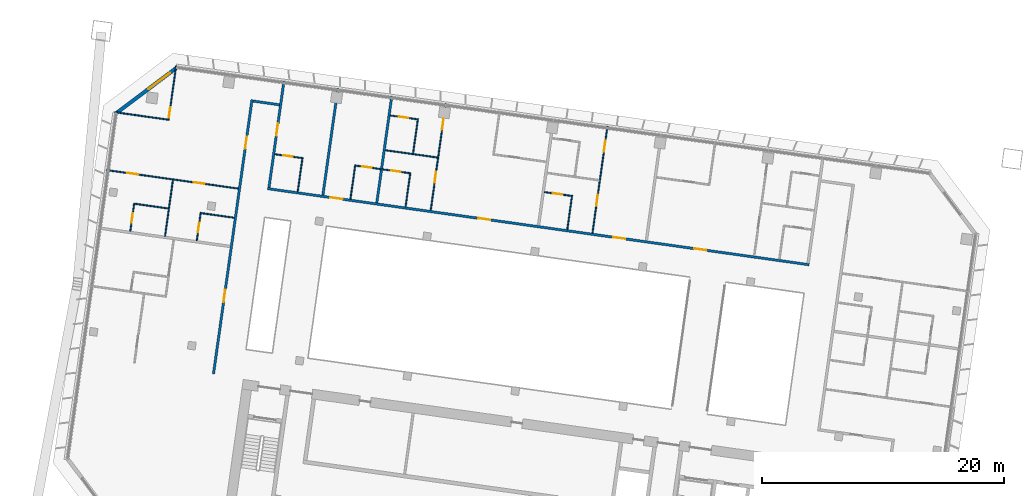
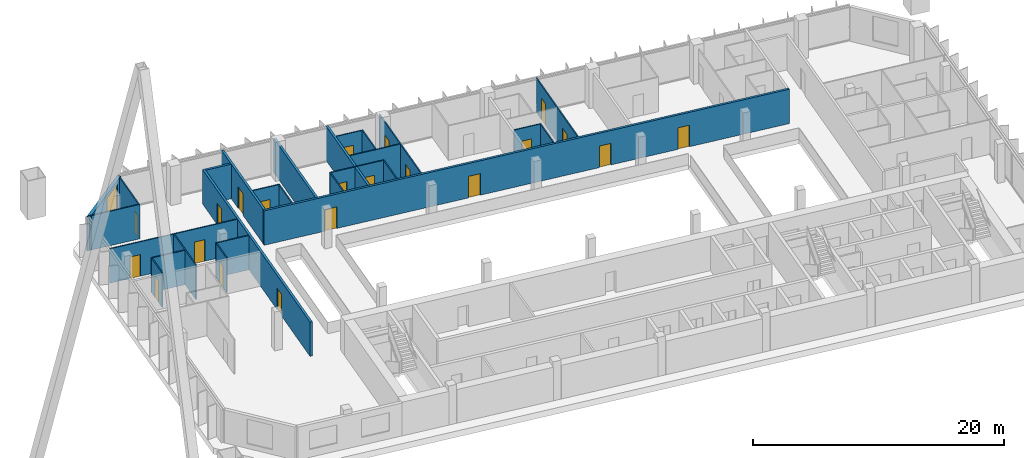
# One storey, part 23 of 33: 27 walls, 21 doors, 1 window, 22 openings.
"""IFC4 building model written with IfcOpenShell, lengths in metres."""

from ifc_helpers import new_model, si_unit, direction, frame, frame_2d, origin, place, context, subcontext, project, spatial, rectangle, extrude, material, layer, layer_set, type_object, element, fill, save


model = new_model("IFC4")

# Units and contexts
model_context = context("Model", 3, precision=1e-05, world=origin(), true_north=direction((0.0, 1.0)))
body_context = subcontext(model_context, "Body", "Model", "MODEL_VIEW")
ifc_project = project(units=[si_unit("LENGTHUNIT", "METRE"), si_unit("AREAUNIT", "SQUARE_METRE"), si_unit("VOLUMEUNIT", "CUBIC_METRE"), si_unit("PLANEANGLEUNIT", "RADIAN"), si_unit("MASSUNIT", "GRAM", prefix="KILO")], contexts=[model_context])

# Site, building, storey
site_placement = place(None, origin())
site = spatial("IfcSite", under=ifc_project, at=site_placement, CompositionType="ELEMENT")
building_placement = place(site_placement, origin())
building = spatial("IfcBuilding", under=site, at=building_placement, Name="Mirante Cascada Hotel Towers", CompositionType="ELEMENT")
storey_placement = place(building_placement, frame((0.0, 0.0, 121.5)))
storey = spatial("IfcBuildingStorey", under=building, at=storey_placement, Name="L27", CompositionType="ELEMENT", Elevation=121.5)

# Wall, openings, doors
ifc_material_1 = material(Name="Fire-rated plasterboard on metal studs")
ifc_layer_1 = layer(ifc_material_1, 0.2)
ifc_layer_set_1 = layer_set([ifc_layer_1], Name="Compartment wall 200 EI 120")
wall_type_1 = type_object("IfcWallType", Name="Compartment wall 200 EI 120", PredefinedType="PARTITIONING", material=ifc_layer_set_1)
wall_1_placement = place(storey_placement, frame((-41.8779, 9.7676, 0.0), z_axis=(0.0, 0.0, 1.0), x_axis=(-0.9902681, 0.1391726, 0.0)))
wall_1 = element("IfcWall", 1, at=wall_1_placement, inside=storey, type_object=wall_type_1, Name="Wall 1-L27-16", PredefinedType="PARTITIONING", context=body_context, shape_type="SweptSolid", body=[
    extrude(rectangle(XDim=45.2, YDim=0.2, at=frame_2d((22.6, 0.0))), origin(), (0.0, 0.0, 1.0), 3.35),
])
opening_1_placement = place(wall_1_placement, frame((8.6, 0.0, 0.0)))
opening_1 = element("IfcOpeningElement", 2, at=opening_1_placement, cuts=wall_1, Name="Opening D1-L27-09", PredefinedType="OPENING", context=body_context, shape_type="SweptSolid", body=[
    extrude(rectangle(XDim=1.0, YDim=2.1, at=frame_2d((0.5, 1.05))), frame((0.0, 0.1, 0.0), z_axis=(0.0, -1.0, 0.0), x_axis=(1.0, 0.0, 0.0)), (0.0, 0.0, 1.0), 0.2),
])
opening_2_placement = place(wall_1_placement, frame((15.35, 0.0, 0.0)))
opening_2 = element("IfcOpeningElement", 3, at=opening_2_placement, cuts=wall_1, Name="Opening D1-L27-10", PredefinedType="OPENING", context=body_context, shape_type="SweptSolid", body=[
    extrude(rectangle(XDim=1.0, YDim=2.1, at=frame_2d((0.5, 1.05))), frame((0.0, 0.1, 0.0), z_axis=(0.0, -1.0, 0.0), x_axis=(1.0, 0.0, 0.0)), (0.0, 0.0, 1.0), 0.2),
])
opening_3_placement = place(wall_1_placement, frame((26.6, 0.0, 0.0)))
opening_3 = element("IfcOpeningElement", 4, at=opening_3_placement, cuts=wall_1, Name="Opening D1-L27-11", PredefinedType="OPENING", context=body_context, shape_type="SweptSolid", body=[
    extrude(rectangle(XDim=1.0, YDim=2.1, at=frame_2d((0.5, 1.05))), frame((0.0, 0.1, 0.0), z_axis=(0.0, -1.0, 0.0), x_axis=(1.0, 0.0, 0.0)), (0.0, 0.0, 1.0), 0.2),
])
opening_4_placement = place(wall_1_placement, frame((38.95, 0.0, 0.0)))
opening_4 = element("IfcOpeningElement", 5, at=opening_4_placement, cuts=wall_1, Name="Opening D1-L27-12", PredefinedType="OPENING", context=body_context, shape_type="SweptSolid", body=[
    extrude(rectangle(XDim=1.0, YDim=2.1, at=frame_2d((0.5, 1.05))), frame((0.0, 0.1, 0.0), z_axis=(0.0, -1.0, 0.0), x_axis=(1.0, 0.0, 0.0)), (0.0, 0.0, 1.0), 0.2),
])
ifc_material_2 = material(Name="Fire-rated timber door leaf", Category="wood")
door_type_1 = type_object("IfcDoorType", Name="Entrance door DG1 1000x2100 EI 60", OperationType="SINGLE_SWING_LEFT", PredefinedType="DOOR", material=ifc_material_2)
door_1_placement = place(opening_1_placement, frame((1.0, 0.0, 0.0), z_axis=(0.0, 0.0, 1.0), x_axis=(-1.0, 0.0, 0.0)))
door_1 = element("IfcDoor", 6, at=door_1_placement, inside=storey, type_object=door_type_1, Name="Door D1-L27-09", OperationType="SINGLE_SWING_RIGHT", OverallHeight=2.1, OverallWidth=1.0, PredefinedType="DOOR", context=body_context, shape_type="SweptSolid", body=[
    extrude(rectangle(XDim=1.0, YDim=2.1, at=frame_2d((0.5, 1.05))), frame((0.0, 0.025, 0.0), z_axis=(0.0, -1.0, 0.0), x_axis=(1.0, 0.0, 0.0)), (0.0, 0.0, 1.0), 0.05),
])
fill(opening_1, door_1)
door_2_placement = place(opening_2_placement, frame((1.0, 0.0, 0.0), z_axis=(0.0, 0.0, 1.0), x_axis=(-1.0, 0.0, 0.0)))
door_2 = element("IfcDoor", 7, at=door_2_placement, inside=storey, type_object=door_type_1, Name="Door D1-L27-10", OperationType="SINGLE_SWING_RIGHT", OverallHeight=2.1, OverallWidth=1.0, PredefinedType="DOOR", context=body_context, shape_type="SweptSolid", body=[
    extrude(rectangle(XDim=1.0, YDim=2.1, at=frame_2d((0.5, 1.05))), frame((0.0, 0.025, 0.0), z_axis=(0.0, -1.0, 0.0), x_axis=(1.0, 0.0, 0.0)), (0.0, 0.0, 1.0), 0.05),
])
fill(opening_2, door_2)
door_3_placement = place(opening_3_placement, frame((1.0, 0.0, 0.0), z_axis=(0.0, 0.0, 1.0), x_axis=(-1.0, 0.0, 0.0)))
door_3 = element("IfcDoor", 8, at=door_3_placement, inside=storey, type_object=door_type_1, Name="Door D1-L27-11", OperationType="SINGLE_SWING_RIGHT", OverallHeight=2.1, OverallWidth=1.0, PredefinedType="DOOR", context=body_context, shape_type="SweptSolid", body=[
    extrude(rectangle(XDim=1.0, YDim=2.1, at=frame_2d((0.5, 1.05))), frame((0.0, 0.025, 0.0), z_axis=(0.0, -1.0, 0.0), x_axis=(1.0, 0.0, 0.0)), (0.0, 0.0, 1.0), 0.05),
])
fill(opening_3, door_3)
door_4_placement = place(opening_4_placement, frame((1.0, 0.0, 0.0), z_axis=(0.0, 0.0, 1.0), x_axis=(-1.0, 0.0, 0.0)))
door_4 = element("IfcDoor", 9, at=door_4_placement, inside=storey, type_object=door_type_1, Name="Door D1-L27-12", OperationType="SINGLE_SWING_RIGHT", OverallHeight=2.1, OverallWidth=1.0, PredefinedType="DOOR", context=body_context, shape_type="SweptSolid", body=[
    extrude(rectangle(XDim=1.0, YDim=2.1, at=frame_2d((0.5, 1.05))), frame((0.0, 0.025, 0.0), z_axis=(0.0, -1.0, 0.0), x_axis=(1.0, 0.0, 0.0)), (0.0, 0.0, 1.0), 0.05),
])
fill(opening_4, door_4)

# Walls
wall_2_placement = place(storey_placement, frame((-85.6638, 22.9901, 0.0), z_axis=(0.0, 0.0, 1.0), x_axis=(-0.990267, 0.139181, 0.0)))
element("IfcWall", 10, at=wall_2_placement, inside=storey, type_object=wall_type_1, Name="Wall 1-L27-28", PredefinedType="PARTITIONING", context=body_context, shape_type="SweptSolid", body=[
    extrude(rectangle(XDim=2.2, YDim=0.2, at=frame_2d((1.1, 0.0))), origin(), (0.0, 0.0, 1.0), 3.35),
])
wall_3_placement = place(storey_placement, frame((-76.374, 23.7042, 0.0), z_axis=(0.0, 0.0, 1.0), x_axis=(-0.1391684, -0.9902687, 0.0)))
element("IfcWall", 11, at=wall_3_placement, inside=storey, type_object=wall_type_1, Name="Wall 1-L27-51", PredefinedType="PARTITIONING", context=body_context, shape_type="SweptSolid", body=[
    extrude(rectangle(XDim=8.9, YDim=0.2, at=frame_2d((4.45, 0.0))), origin(), (0.0, 0.0, 1.0), 3.35),
])
wall_4_placement = place(storey_placement, frame((-80.8302, 24.3304, 0.0), z_axis=(0.0, 0.0, 1.0), x_axis=(-0.13917, -0.9902685, 0.0)))
element("IfcWall", 12, at=wall_4_placement, inside=storey, type_object=wall_type_1, Name="Wall 1-L27-53", PredefinedType="PARTITIONING", context=body_context, shape_type="SweptSolid", body=[
    extrude(rectangle(XDim=8.8999, YDim=0.2, at=frame_2d((4.45, 0.0))), origin(), (0.0, 0.0, 1.0), 3.35),
])

# Wall, opening, door
wall_5_placement = place(storey_placement, frame((-85.2864, 24.9567, 0.0), z_axis=(0.0, 0.0, 1.0), x_axis=(-0.1391684, -0.9902687, 0.0)))
wall_5 = element("IfcWall", 13, at=wall_5_placement, inside=storey, type_object=wall_type_1, Name="Wall 1-L27-55", PredefinedType="PARTITIONING", context=body_context, shape_type="SweptSolid", body=[
    extrude(rectangle(XDim=8.9, YDim=0.2, at=frame_2d((4.45, 0.0))), origin(), (0.0, 0.0, 1.0), 3.35),
])
opening_5_placement = place(wall_5_placement, frame((3.55, 0.0, 0.0)))
opening_5 = element("IfcOpeningElement", 14, at=opening_5_placement, cuts=wall_5, Name="Opening D1-L27-34", PredefinedType="OPENING", context=body_context, shape_type="SweptSolid", body=[
    extrude(rectangle(XDim=1.0, YDim=2.1, at=frame_2d((0.5, 1.05))), frame((0.0, 0.1, 0.0), z_axis=(0.0, -1.0, 0.0), x_axis=(1.0, 0.0, 0.0)), (0.0, 0.0, 1.0), 0.2),
])
door_5_placement = place(opening_5_placement, origin())
door_5 = element("IfcDoor", 15, at=door_5_placement, inside=storey, type_object=door_type_1, Name="Door D1-L27-34", OperationType="SINGLE_SWING_LEFT", OverallHeight=2.1, OverallWidth=1.0, PredefinedType="DOOR", context=body_context, shape_type="SweptSolid", body=[
    extrude(rectangle(XDim=1.0, YDim=2.1, at=frame_2d((0.5, 1.05))), frame((0.0, 0.025, 0.0), z_axis=(0.0, -1.0, 0.0), x_axis=(1.0, 0.0, 0.0)), (0.0, 0.0, 1.0), 0.05),
])
fill(opening_5, door_5)

# Wall, openings, doors
wall_6_placement = place(storey_placement, frame((-91.1145, 0.7321, 0.0), z_axis=(0.0, 0.0, 1.0), x_axis=(0.1391706, 0.9902684, 0.0)))
wall_6 = element("IfcWall", 16, at=wall_6_placement, inside=storey, type_object=wall_type_1, Name="Wall 1-L27-56", PredefinedType="PARTITIONING", context=body_context, shape_type="SweptSolid", body=[
    extrude(rectangle(XDim=22.9, YDim=0.2, at=frame_2d((11.45, 0.0))), origin(), (0.0, 0.0, 1.0), 3.35),
])
opening_6_placement = place(wall_6_placement, frame((6.0167, 0.0, 0.0)))
opening_6 = element("IfcOpeningElement", 17, at=opening_6_placement, cuts=wall_6, Name="Opening D1-L27-35", PredefinedType="OPENING", context=body_context, shape_type="SweptSolid", body=[
    extrude(rectangle(XDim=1.0, YDim=2.1, at=frame_2d((0.5, 1.05))), frame((0.0, 0.1, 0.0), z_axis=(0.0, -1.0, 0.0), x_axis=(1.0, 0.0, 0.0)), (0.0, 0.0, 1.0), 0.2),
])
opening_7_placement = place(wall_6_placement, frame((18.8, 0.0, 0.0)))
opening_7 = element("IfcOpeningElement", 18, at=opening_7_placement, cuts=wall_6, Name="Opening D1-L27-36", PredefinedType="OPENING", context=body_context, shape_type="SweptSolid", body=[
    extrude(rectangle(XDim=1.0, YDim=2.1, at=frame_2d((0.5, 1.05))), frame((0.0, 0.1, 0.0), z_axis=(0.0, -1.0, 0.0), x_axis=(1.0, 0.0, 0.0)), (0.0, 0.0, 1.0), 0.2),
])
door_6_placement = place(opening_6_placement, origin())
door_6 = element("IfcDoor", 19, at=door_6_placement, inside=storey, type_object=door_type_1, Name="Door D1-L27-35", OperationType="SINGLE_SWING_LEFT", OverallHeight=2.1, OverallWidth=1.0, PredefinedType="DOOR", context=body_context, shape_type="SweptSolid", body=[
    extrude(rectangle(XDim=1.0, YDim=2.1, at=frame_2d((0.5, 1.05))), frame((0.0, 0.025, 0.0), z_axis=(0.0, -1.0, 0.0), x_axis=(1.0, 0.0, 0.0)), (0.0, 0.0, 1.0), 0.05),
])
fill(opening_6, door_6)
door_7_placement = place(opening_7_placement, origin())
door_7 = element("IfcDoor", 20, at=door_7_placement, inside=storey, type_object=door_type_1, Name="Door D1-L27-36", OperationType="SINGLE_SWING_LEFT", OverallHeight=2.1, OverallWidth=1.0, PredefinedType="DOOR", context=body_context, shape_type="SweptSolid", body=[
    extrude(rectangle(XDim=1.0, YDim=2.1, at=frame_2d((0.5, 1.05))), frame((0.0, 0.025, 0.0), z_axis=(0.0, -1.0, 0.0), x_axis=(1.0, 0.0, 0.0)), (0.0, 0.0, 1.0), 0.05),
])
fill(opening_7, door_7)

# Walls
ifc_material_3 = material(Name="Plasterboard on metal studs")
ifc_layer_2 = layer(ifc_material_3, 0.1)
ifc_layer_set_2 = layer_set([ifc_layer_2], Name="Partition 100")
wall_type_2 = type_object("IfcWallType", Name="Partition 100", PredefinedType="PARTITIONING", material=ifc_layer_set_2)
wall_7_placement = place(storey_placement, frame((-89.3997, 13.6525, 0.0), z_axis=(0.0, 0.0, 1.0), x_axis=(-0.9902697, 0.1391613, 0.0)))
element("IfcWall", 21, at=wall_7_placement, inside=storey, type_object=wall_type_2, Name="Wall 1-L27-12", PredefinedType="PARTITIONING", context=body_context, shape_type="SweptSolid", body=[
    extrude(rectangle(XDim=2.8499, YDim=0.1, at=frame_2d((1.425, 0.0))), origin(), (0.0, 0.0, 1.0), 3.35),
])
wall_8_placement = place(storey_placement, frame((-97.7179, 14.8215, 0.0), z_axis=(0.0, 0.0, 1.0), x_axis=(0.9902683, -0.1391714, 0.0)))
element("IfcWall", 22, at=wall_8_placement, inside=storey, type_object=wall_type_2, Name="Wall 1-L27-13", PredefinedType="PARTITIONING", context=body_context, shape_type="SweptSolid", body=[
    extrude(rectangle(XDim=2.9, YDim=0.1, at=frame_2d((1.45, 0.0))), origin(), (0.0, 0.0, 1.0), 3.35),
])

# Wall, openings, doors
wall_9_placement = place(storey_placement, frame((-99.954, 17.5931, 0.0), z_axis=(0.0, 0.0, 1.0), x_axis=(0.9902682, -0.1391721, 0.0)))
wall_9 = element("IfcWall", 23, at=wall_9_placement, inside=storey, type_object=wall_type_2, Name="Wall 1-L27-15", PredefinedType="PARTITIONING", context=body_context, shape_type="SweptSolid", body=[
    extrude(rectangle(XDim=11.0001, YDim=0.1, at=frame_2d((5.5, 0.0))), origin(), (0.0, 0.0, 1.0), 3.35),
])
opening_8_placement = place(wall_9_placement, frame((7.275, 0.0, 0.0)))
opening_8 = element("IfcOpeningElement", 24, at=opening_8_placement, cuts=wall_9, Name="Opening D1-L27-07", PredefinedType="OPENING", context=body_context, shape_type="SweptSolid", body=[
    extrude(rectangle(XDim=0.9, YDim=2.1, at=frame_2d((0.45, 1.05))), frame((0.0, 0.05, 0.0), z_axis=(0.0, -1.0, 0.0), x_axis=(1.0, 0.0, 0.0)), (0.0, 0.0, 1.0), 0.1),
])
opening_9_placement = place(wall_9_placement, frame((1.725, 0.0, 0.0)))
opening_9 = element("IfcOpeningElement", 25, at=opening_9_placement, cuts=wall_9, Name="Opening D1-L27-08", PredefinedType="OPENING", context=body_context, shape_type="SweptSolid", body=[
    extrude(rectangle(XDim=0.9, YDim=2.1, at=frame_2d((0.45, 1.05))), frame((0.0, 0.05, 0.0), z_axis=(0.0, -1.0, 0.0), x_axis=(1.0, 0.0, 0.0)), (0.0, 0.0, 1.0), 0.1),
])
ifc_material_4 = material(Name="Timber door leaf", Category="wood")
door_type_2 = type_object("IfcDoorType", Name="Room door DG3 900x2100", OperationType="SINGLE_SWING_LEFT", PredefinedType="DOOR", material=ifc_material_4)
door_8_placement = place(opening_8_placement, origin())
door_8 = element("IfcDoor", 26, at=door_8_placement, inside=storey, type_object=door_type_2, Name="Door D1-L27-07", OperationType="SINGLE_SWING_LEFT", OverallHeight=2.1, OverallWidth=0.9, PredefinedType="DOOR", context=body_context, shape_type="SweptSolid", body=[
    extrude(rectangle(XDim=0.9, YDim=2.1, at=frame_2d((0.45, 1.05))), frame((0.0, 0.025, 0.0), z_axis=(0.0, -1.0, 0.0), x_axis=(1.0, 0.0, 0.0)), (0.0, 0.0, 1.0), 0.05),
])
fill(opening_8, door_8)
door_9_placement = place(opening_9_placement, origin())
door_9 = element("IfcDoor", 27, at=door_9_placement, inside=storey, type_object=door_type_2, Name="Door D1-L27-08", OperationType="SINGLE_SWING_LEFT", OverallHeight=2.1, OverallWidth=0.9, PredefinedType="DOOR", context=body_context, shape_type="SweptSolid", body=[
    extrude(rectangle(XDim=0.9, YDim=2.1, at=frame_2d((0.45, 1.05))), frame((0.0, 0.025, 0.0), z_axis=(0.0, -1.0, 0.0), x_axis=(1.0, 0.0, 0.0)), (0.0, 0.0, 1.0), 0.05),
])
fill(opening_9, door_9)

# Wall, opening, door
wall_10_placement = place(storey_placement, frame((-61.5272, 15.4576, 0.0), z_axis=(0.0, 0.0, 1.0), x_axis=(-0.9902643, 0.1391997, 0.0)))
wall_10 = element("IfcWall", 28, at=wall_10_placement, inside=storey, type_object=wall_type_2, Name="Wall 1-L27-18", PredefinedType="PARTITIONING", context=body_context, shape_type="SweptSolid", body=[
    extrude(rectangle(XDim=2.25, YDim=0.1, at=frame_2d((1.125, 0.0))), origin(), (0.0, 0.0, 1.0), 3.35),
])
opening_10_placement = place(wall_10_placement, frame((0.75, 0.0, 0.0)))
opening_10 = element("IfcOpeningElement", 29, at=opening_10_placement, cuts=wall_10, Name="Opening D1-L27-14", PredefinedType="OPENING", context=body_context, shape_type="SweptSolid", body=[
    extrude(rectangle(XDim=0.8, YDim=2.1, at=frame_2d((0.4, 1.05))), frame((0.0, 0.05, 0.0), z_axis=(0.0, -1.0, 0.0), x_axis=(1.0, 0.0, 0.0)), (0.0, 0.0, 1.0), 0.1),
])
ifc_material_5 = material(Name="Timber door leaf", Category="wood")
door_type_3 = type_object("IfcDoorType", Name="Bathroom door DG4 800x2100", OperationType="SINGLE_SWING_LEFT", PredefinedType="DOOR", material=ifc_material_5)
door_10_placement = place(opening_10_placement, origin())
door_10 = element("IfcDoor", 30, at=door_10_placement, inside=storey, type_object=door_type_3, Name="Door D1-L27-14", OperationType="SINGLE_SWING_LEFT", OverallHeight=2.1, OverallWidth=0.8, PredefinedType="DOOR", context=body_context, shape_type="SweptSolid", body=[
    extrude(rectangle(XDim=0.8, YDim=2.1, at=frame_2d((0.4, 1.05))), frame((0.0, 0.025, 0.0), z_axis=(0.0, -1.0, 0.0), x_axis=(1.0, 0.0, 0.0)), (0.0, 0.0, 1.0), 0.05),
])
fill(opening_10, door_10)

# Wall, openings, doors
wall_11_placement = place(storey_placement, frame((-79.451, 17.9767, 0.0), z_axis=(0.0, 0.0, 1.0), x_axis=(0.9902682, -0.139172, 0.0)))
wall_11 = element("IfcWall", 31, at=wall_11_placement, inside=storey, type_object=wall_type_2, Name="Wall 1-L27-19", PredefinedType="PARTITIONING", context=body_context, shape_type="SweptSolid", body=[
    extrude(rectangle(XDim=4.6999, YDim=0.1, at=frame_2d((2.35, 0.0))), origin(), (0.0, 0.0, 1.0), 3.35),
])
opening_11_placement = place(wall_11_placement, frame((3.05, 0.0, 0.0)))
opening_11 = element("IfcOpeningElement", 32, at=opening_11_placement, cuts=wall_11, Name="Opening D1-L27-15", PredefinedType="OPENING", context=body_context, shape_type="SweptSolid", body=[
    extrude(rectangle(XDim=0.8, YDim=2.1, at=frame_2d((0.4, 1.05))), frame((0.0, 0.05, 0.0), z_axis=(0.0, -1.0, 0.0), x_axis=(1.0, 0.0, 0.0)), (0.0, 0.0, 1.0), 0.1),
])
opening_12_placement = place(wall_11_placement, frame((0.65, 0.0, 0.0)))
opening_12 = element("IfcOpeningElement", 33, at=opening_12_placement, cuts=wall_11, Name="Opening D1-L27-16", PredefinedType="OPENING", context=body_context, shape_type="SweptSolid", body=[
    extrude(rectangle(XDim=0.8, YDim=2.1, at=frame_2d((0.4, 1.05))), frame((0.0, 0.05, 0.0), z_axis=(0.0, -1.0, 0.0), x_axis=(1.0, 0.0, 0.0)), (0.0, 0.0, 1.0), 0.1),
])
door_11_placement = place(opening_11_placement, frame((0.8, 0.0, 0.0), z_axis=(0.0, 0.0, 1.0), x_axis=(-1.0, 0.0, 0.0)))
door_11 = element("IfcDoor", 34, at=door_11_placement, inside=storey, type_object=door_type_3, Name="Door D1-L27-15", OperationType="SINGLE_SWING_RIGHT", OverallHeight=2.1, OverallWidth=0.8, PredefinedType="DOOR", context=body_context, shape_type="SweptSolid", body=[
    extrude(rectangle(XDim=0.8, YDim=2.1, at=frame_2d((0.4, 1.05))), frame((0.0, 0.025, 0.0), z_axis=(0.0, -1.0, 0.0), x_axis=(1.0, 0.0, 0.0)), (0.0, 0.0, 1.0), 0.05),
])
fill(opening_11, door_11)
door_12_placement = place(opening_12_placement, origin())
door_12 = element("IfcDoor", 35, at=door_12_placement, inside=storey, type_object=door_type_3, Name="Door D1-L27-16", OperationType="SINGLE_SWING_LEFT", OverallHeight=2.1, OverallWidth=0.8, PredefinedType="DOOR", context=body_context, shape_type="SweptSolid", body=[
    extrude(rectangle(XDim=0.8, YDim=2.1, at=frame_2d((0.4, 1.05))), frame((0.0, 0.025, 0.0), z_axis=(0.0, -1.0, 0.0), x_axis=(1.0, 0.0, 0.0)), (0.0, 0.0, 1.0), 0.05),
])
fill(opening_12, door_12)

# Wall, opening, door
wall_12_placement = place(storey_placement, frame((-83.8082, 18.589, 0.0), z_axis=(0.0, 0.0, 1.0), x_axis=(-0.9902643, 0.1391997, 0.0)))
wall_12 = element("IfcWall", 36, at=wall_12_placement, inside=storey, type_object=wall_type_2, Name="Wall 1-L27-20", PredefinedType="PARTITIONING", context=body_context, shape_type="SweptSolid", body=[
    extrude(rectangle(XDim=2.25, YDim=0.1, at=frame_2d((1.125, 0.0))), origin(), (0.0, 0.0, 1.0), 3.35),
])
opening_13_placement = place(wall_12_placement, frame((0.75, 0.0, 0.0)))
opening_13 = element("IfcOpeningElement", 37, at=opening_13_placement, cuts=wall_12, Name="Opening D1-L27-17", PredefinedType="OPENING", context=body_context, shape_type="SweptSolid", body=[
    extrude(rectangle(XDim=0.8, YDim=2.1, at=frame_2d((0.4, 1.05))), frame((0.0, 0.05, 0.0), z_axis=(0.0, -1.0, 0.0), x_axis=(1.0, 0.0, 0.0)), (0.0, 0.0, 1.0), 0.1),
])
door_13_placement = place(opening_13_placement, frame((0.8, 0.0, 0.0), z_axis=(0.0, 0.0, 1.0), x_axis=(-1.0, 0.0, 0.0)))
door_13 = element("IfcDoor", 38, at=door_13_placement, inside=storey, type_object=door_type_3, Name="Door D1-L27-17", OperationType="SINGLE_SWING_RIGHT", OverallHeight=2.1, OverallWidth=0.8, PredefinedType="DOOR", context=body_context, shape_type="SweptSolid", body=[
    extrude(rectangle(XDim=0.8, YDim=2.1, at=frame_2d((0.4, 1.05))), frame((0.0, 0.025, 0.0), z_axis=(0.0, -1.0, 0.0), x_axis=(1.0, 0.0, 0.0)), (0.0, 0.0, 1.0), 0.05),
])
fill(opening_13, door_13)

# Walls
wall_13_placement = place(storey_placement, frame((-76.9012, 19.234, 0.0), z_axis=(0.0, 0.0, 1.0), x_axis=(0.9902679, -0.1391745, 0.0)))
element("IfcWall", 39, at=wall_13_placement, inside=storey, type_object=wall_type_2, Name="Wall 1-L27-23", PredefinedType="PARTITIONING", context=body_context, shape_type="SweptSolid", body=[
    extrude(rectangle(XDim=4.3499, YDim=0.1, at=frame_2d((2.175, 0.0))), origin(), (0.0, 0.0, 1.0), 3.35),
])
wall_14_placement = place(storey_placement, frame((-94.7756, 21.7461, 0.0), z_axis=(0.0, 0.0, 1.0), x_axis=(-0.9902661, 0.1391871, 0.0)))
element("IfcWall", 40, at=wall_14_placement, inside=storey, type_object=wall_type_2, Name="Wall 1-L27-24", PredefinedType="PARTITIONING", context=body_context, shape_type="SweptSolid", body=[
    extrude(rectangle(XDim=4.55, YDim=0.1, at=frame_2d((2.275, 0.0))), origin(), (0.0, 0.0, 1.0), 3.35),
])

# Wall, opening, door
wall_15_placement = place(storey_placement, frame((-76.4976, 22.1058, 0.0), z_axis=(0.0, 0.0, 1.0), x_axis=(0.9902705, -0.1391561, 0.0)))
wall_15 = element("IfcWall", 41, at=wall_15_placement, inside=storey, type_object=wall_type_2, Name="Wall 1-L27-31", PredefinedType="PARTITIONING", context=body_context, shape_type="SweptSolid", body=[
    extrude(rectangle(XDim=2.25, YDim=0.1, at=frame_2d((1.125, 0.0))), origin(), (0.0, 0.0, 1.0), 3.35),
])
opening_14_placement = place(wall_15_placement, frame((0.7, 0.0, 0.0)))
opening_14 = element("IfcOpeningElement", 42, at=opening_14_placement, cuts=wall_15, Name="Opening D1-L27-22", PredefinedType="OPENING", context=body_context, shape_type="SweptSolid", body=[
    extrude(rectangle(XDim=0.8, YDim=2.1, at=frame_2d((0.4, 1.05))), frame((0.0, 0.05, 0.0), z_axis=(0.0, -1.0, 0.0), x_axis=(1.0, 0.0, 0.0)), (0.0, 0.0, 1.0), 0.1),
])
door_14_placement = place(opening_14_placement, frame((0.8, 0.0, 0.0), z_axis=(0.0, 0.0, 1.0), x_axis=(-1.0, 0.0, 0.0)))
door_14 = element("IfcDoor", 43, at=door_14_placement, inside=storey, type_object=door_type_3, Name="Door D1-L27-22", OperationType="SINGLE_SWING_RIGHT", OverallHeight=2.1, OverallWidth=0.8, PredefinedType="DOOR", context=body_context, shape_type="SweptSolid", body=[
    extrude(rectangle(XDim=0.8, YDim=2.1, at=frame_2d((0.4, 1.05))), frame((0.0, 0.025, 0.0), z_axis=(0.0, -1.0, 0.0), x_axis=(1.0, 0.0, 0.0)), (0.0, 0.0, 1.0), 0.05),
])
fill(opening_14, door_14)

# Wall, openings, doors
wall_16_placement = place(storey_placement, frame((-58.5492, 21.199, 0.0), z_axis=(0.0, 0.0, 1.0), x_axis=(-0.13917, -0.9902685, 0.0)))
wall_16 = element("IfcWall", 44, at=wall_16_placement, inside=storey, type_object=wall_type_2, Name="Wall 1-L27-43", PredefinedType="PARTITIONING", context=body_context, shape_type="SweptSolid", body=[
    extrude(rectangle(XDim=8.8999, YDim=0.1, at=frame_2d((4.45, 0.0))), origin(), (0.0, 0.0, 1.0), 3.35),
])
opening_15_placement = place(wall_16_placement, frame((5.7, 0.0, 0.0)))
opening_15 = element("IfcOpeningElement", 45, at=opening_15_placement, cuts=wall_16, Name="Opening D1-L27-30", PredefinedType="OPENING", context=body_context, shape_type="SweptSolid", body=[
    extrude(rectangle(XDim=0.9, YDim=2.1, at=frame_2d((0.45, 1.05))), frame((0.0, 0.05, 0.0), z_axis=(0.0, -1.0, 0.0), x_axis=(1.0, 0.0, 0.0)), (0.0, 0.0, 1.0), 0.1),
])
opening_16_placement = place(wall_16_placement, frame((1.2, 0.0, 0.0)))
opening_16 = element("IfcOpeningElement", 46, at=opening_16_placement, cuts=wall_16, Name="Opening D1-L27-31", PredefinedType="OPENING", context=body_context, shape_type="SweptSolid", body=[
    extrude(rectangle(XDim=0.9, YDim=2.1, at=frame_2d((0.45, 1.05))), frame((0.0, 0.05, 0.0), z_axis=(0.0, -1.0, 0.0), x_axis=(1.0, 0.0, 0.0)), (0.0, 0.0, 1.0), 0.1),
])
door_15_placement = place(opening_15_placement, origin())
door_15 = element("IfcDoor", 47, at=door_15_placement, inside=storey, type_object=door_type_2, Name="Door D1-L27-30", OperationType="SINGLE_SWING_LEFT", OverallHeight=2.1, OverallWidth=0.9, PredefinedType="DOOR", context=body_context, shape_type="SweptSolid", body=[
    extrude(rectangle(XDim=0.9, YDim=2.1, at=frame_2d((0.45, 1.05))), frame((0.0, 0.025, 0.0), z_axis=(0.0, -1.0, 0.0), x_axis=(1.0, 0.0, 0.0)), (0.0, 0.0, 1.0), 0.05),
])
fill(opening_15, door_15)
door_16_placement = place(opening_16_placement, origin())
door_16 = element("IfcDoor", 48, at=door_16_placement, inside=storey, type_object=door_type_2, Name="Door D1-L27-31", OperationType="SINGLE_SWING_LEFT", OverallHeight=2.1, OverallWidth=0.9, PredefinedType="DOOR", context=body_context, shape_type="SweptSolid", body=[
    extrude(rectangle(XDim=0.9, YDim=2.1, at=frame_2d((0.45, 1.05))), frame((0.0, 0.025, 0.0), z_axis=(0.0, -1.0, 0.0), x_axis=(1.0, 0.0, 0.0)), (0.0, 0.0, 1.0), 0.05),
])
fill(opening_16, door_16)

# Wall
wall_17_placement = place(storey_placement, frame((-61.8674, 12.6779, 0.0), z_axis=(0.0, 0.0, 1.0), x_axis=(0.1391909, 0.9902656, 0.0)))
element("IfcWall", 49, at=wall_17_placement, inside=storey, type_object=wall_type_2, Name="Wall 1-L27-44", PredefinedType="PARTITIONING", context=body_context, shape_type="SweptSolid", body=[
    extrude(rectangle(XDim=2.85, YDim=0.1, at=frame_2d((1.425, 0.0))), origin(), (0.0, 0.0, 1.0), 3.35),
])

# Wall, openings, doors
wall_18_placement = place(storey_placement, frame((-73.1564, 14.2645, 0.0), z_axis=(0.0, 0.0, 1.0), x_axis=(0.1391684, 0.9902687, 0.0)))
wall_18 = element("IfcWall", 50, at=wall_18_placement, inside=storey, type_object=wall_type_2, Name="Wall 1-L27-48", PredefinedType="PARTITIONING", context=body_context, shape_type="SweptSolid", body=[
    extrude(rectangle(XDim=8.9, YDim=0.1, at=frame_2d((4.45, 0.0))), origin(), (0.0, 0.0, 1.0), 3.35),
])
opening_17_placement = place(wall_18_placement, frame((2.3, 0.0, 0.0)))
opening_17 = element("IfcOpeningElement", 51, at=opening_17_placement, cuts=wall_18, Name="Opening D1-L27-32", PredefinedType="OPENING", context=body_context, shape_type="SweptSolid", body=[
    extrude(rectangle(XDim=0.9, YDim=2.1, at=frame_2d((0.45, 1.05))), frame((0.0, 0.05, 0.0), z_axis=(0.0, -1.0, 0.0), x_axis=(1.0, 0.0, 0.0)), (0.0, 0.0, 1.0), 0.1),
])
opening_18_placement = place(wall_18_placement, frame((6.75, 0.0, 0.0)))
opening_18 = element("IfcOpeningElement", 52, at=opening_18_placement, cuts=wall_18, Name="Opening D1-L27-33", PredefinedType="OPENING", context=body_context, shape_type="SweptSolid", body=[
    extrude(rectangle(XDim=0.9, YDim=2.1, at=frame_2d((0.45, 1.05))), frame((0.0, 0.05, 0.0), z_axis=(0.0, -1.0, 0.0), x_axis=(1.0, 0.0, 0.0)), (0.0, 0.0, 1.0), 0.1),
])
door_17_placement = place(opening_17_placement, frame((0.9, 0.0, 0.0), z_axis=(0.0, 0.0, 1.0), x_axis=(-1.0, 0.0, 0.0)))
door_17 = element("IfcDoor", 53, at=door_17_placement, inside=storey, type_object=door_type_2, Name="Door D1-L27-32", OperationType="SINGLE_SWING_RIGHT", OverallHeight=2.1, OverallWidth=0.9, PredefinedType="DOOR", context=body_context, shape_type="SweptSolid", body=[
    extrude(rectangle(XDim=0.9, YDim=2.1, at=frame_2d((0.45, 1.05))), frame((0.0, 0.025, 0.0), z_axis=(0.0, -1.0, 0.0), x_axis=(1.0, 0.0, 0.0)), (0.0, 0.0, 1.0), 0.05),
])
fill(opening_17, door_17)
door_18_placement = place(opening_18_placement, frame((0.9, 0.0, 0.0), z_axis=(0.0, 0.0, 1.0), x_axis=(-1.0, 0.0, 0.0)))
door_18 = element("IfcDoor", 54, at=door_18_placement, inside=storey, type_object=door_type_2, Name="Door D1-L27-33", OperationType="SINGLE_SWING_RIGHT", OverallHeight=2.1, OverallWidth=0.9, PredefinedType="DOOR", context=body_context, shape_type="SweptSolid", body=[
    extrude(rectangle(XDim=0.9, YDim=2.1, at=frame_2d((0.45, 1.05))), frame((0.0, 0.025, 0.0), z_axis=(0.0, -1.0, 0.0), x_axis=(1.0, 0.0, 0.0)), (0.0, 0.0, 1.0), 0.05),
])
fill(opening_18, door_18)

# Walls
wall_19_placement = place(storey_placement, frame((-74.8533, 17.28, 0.0), z_axis=(0.0, 0.0, 1.0), x_axis=(-0.1391657, -0.9902691, 0.0)))
element("IfcWall", 55, at=wall_19_placement, inside=storey, type_object=wall_type_2, Name="Wall 1-L27-49", PredefinedType="PARTITIONING", context=body_context, shape_type="SweptSolid", body=[
    extrude(rectangle(XDim=2.75, YDim=0.1, at=frame_2d((1.375, 0.0))), origin(), (0.0, 0.0, 1.0), 3.35),
])
wall_20_placement = place(storey_placement, frame((-74.6167, 18.9635, 0.0), z_axis=(0.0, 0.0, 1.0), x_axis=(0.1391761, 0.9902676, 0.0)))
element("IfcWall", 56, at=wall_20_placement, inside=storey, type_object=wall_type_2, Name="Wall 1-L27-50", PredefinedType="PARTITIONING", context=body_context, shape_type="SweptSolid", body=[
    extrude(rectangle(XDim=2.8999, YDim=0.1, at=frame_2d((1.45, 0.0))), origin(), (0.0, 0.0, 1.0), 3.35),
])
wall_21_placement = place(storey_placement, frame((-79.7912, 15.197, 0.0), z_axis=(0.0, 0.0, 1.0), x_axis=(0.1391657, 0.9902691, 0.0)))
element("IfcWall", 57, at=wall_21_placement, inside=storey, type_object=wall_type_2, Name="Wall 1-L27-52", PredefinedType="PARTITIONING", context=body_context, shape_type="SweptSolid", body=[
    extrude(rectangle(XDim=2.75, YDim=0.1, at=frame_2d((1.375, 0.0))), origin(), (0.0, 0.0, 1.0), 3.35),
])
wall_22_placement = place(storey_placement, frame((-84.1484, 15.8093, 0.0), z_axis=(0.0, 0.0, 1.0), x_axis=(0.1391909, 0.9902656, 0.0)))
element("IfcWall", 58, at=wall_22_placement, inside=storey, type_object=wall_type_2, Name="Wall 1-L27-54", PredefinedType="PARTITIONING", context=body_context, shape_type="SweptSolid", body=[
    extrude(rectangle(XDim=2.85, YDim=0.1, at=frame_2d((1.425, 0.0))), origin(), (0.0, 0.0, 1.0), 3.35),
])

# Wall, opening, door
wall_23_placement = place(storey_placement, frame((-92.1794, 13.9926, 0.0), z_axis=(0.0, 0.0, 1.0), x_axis=(-0.1391561, -0.9902705, 0.0)))
wall_23 = element("IfcWall", 59, at=wall_23_placement, inside=storey, type_object=wall_type_2, Name="Wall 1-L27-57", PredefinedType="PARTITIONING", context=body_context, shape_type="SweptSolid", body=[
    extrude(rectangle(XDim=2.25, YDim=0.1, at=frame_2d((1.125, 0.0))), origin(), (0.0, 0.0, 1.0), 3.35),
])
opening_19_placement = place(wall_23_placement, frame((0.75, 0.0, 0.0)))
opening_19 = element("IfcOpeningElement", 60, at=opening_19_placement, cuts=wall_23, Name="Opening D1-L27-37", PredefinedType="OPENING", context=body_context, shape_type="SweptSolid", body=[
    extrude(rectangle(XDim=0.8, YDim=2.1, at=frame_2d((0.4, 1.05))), frame((0.0, 0.05, 0.0), z_axis=(0.0, -1.0, 0.0), x_axis=(1.0, 0.0, 0.0)), (0.0, 0.0, 1.0), 0.1),
])
door_19_placement = place(opening_19_placement, origin())
door_19 = element("IfcDoor", 61, at=door_19_placement, inside=storey, type_object=door_type_3, Name="Door D1-L27-37", OperationType="SINGLE_SWING_LEFT", OverallHeight=2.1, OverallWidth=0.8, PredefinedType="DOOR", context=body_context, shape_type="SweptSolid", body=[
    extrude(rectangle(XDim=0.8, YDim=2.1, at=frame_2d((0.4, 1.05))), frame((0.0, 0.025, 0.0), z_axis=(0.0, -1.0, 0.0), x_axis=(1.0, 0.0, 0.0)), (0.0, 0.0, 1.0), 0.05),
])
fill(opening_19, door_19)

# Wall
wall_24_placement = place(storey_placement, frame((-94.4649, 16.7712, 0.0), z_axis=(0.0, 0.0, 1.0), x_axis=(-0.1391701, -0.9902685, 0.0)))
element("IfcWall", 62, at=wall_24_placement, inside=storey, type_object=wall_type_2, Name="Wall 1-L27-59", PredefinedType="PARTITIONING", context=body_context, shape_type="SweptSolid", body=[
    extrude(rectangle(XDim=4.6835, YDim=0.1, at=frame_2d((2.3418, 0.0))), origin(), (0.0, 0.0, 1.0), 3.35),
])

# Wall, opening, door
wall_25_placement = place(storey_placement, frame((-94.1988, 26.2093, 0.0), z_axis=(0.0, 0.0, 1.0), x_axis=(-0.1391684, -0.9902687, 0.0)))
wall_25 = element("IfcWall", 63, at=wall_25_placement, inside=storey, type_object=wall_type_2, Name="Wall 1-L27-61", PredefinedType="PARTITIONING", context=body_context, shape_type="SweptSolid", body=[
    extrude(rectangle(XDim=4.45, YDim=0.1, at=frame_2d((2.225, 0.0))), origin(), (0.0, 0.0, 1.0), 3.35),
])
opening_20_placement = place(wall_25_placement, frame((3.45, 0.0, 0.0)))
opening_20 = element("IfcOpeningElement", 64, at=opening_20_placement, cuts=wall_25, Name="Opening D1-L27-40", PredefinedType="OPENING", context=body_context, shape_type="SweptSolid", body=[
    extrude(rectangle(XDim=0.9, YDim=2.1, at=frame_2d((0.45, 1.05))), frame((0.0, 0.05, 0.0), z_axis=(0.0, -1.0, 0.0), x_axis=(1.0, 0.0, 0.0)), (0.0, 0.0, 1.0), 0.1),
])
door_20_placement = place(opening_20_placement, origin())
door_20 = element("IfcDoor", 65, at=door_20_placement, inside=storey, type_object=door_type_2, Name="Door D1-L27-40", OperationType="SINGLE_SWING_LEFT", OverallHeight=2.1, OverallWidth=0.9, PredefinedType="DOOR", context=body_context, shape_type="SweptSolid", body=[
    extrude(rectangle(XDim=0.9, YDim=2.1, at=frame_2d((0.45, 1.05))), frame((0.0, 0.025, 0.0), z_axis=(0.0, -1.0, 0.0), x_axis=(1.0, 0.0, 0.0)), (0.0, 0.0, 1.0), 0.05),
])
fill(opening_20, door_20)

wall_26_placement = place(storey_placement, frame((-97.6754, 14.765, 0.0), z_axis=(0.0, 0.0, 1.0), x_axis=(-0.1391561, -0.9902705, 0.0)))
wall_26 = element("IfcWall", 66, at=wall_26_placement, inside=storey, type_object=wall_type_2, Name="Wall 1-L27-63", PredefinedType="PARTITIONING", context=body_context, shape_type="SweptSolid", body=[
    extrude(rectangle(XDim=2.25, YDim=0.1, at=frame_2d((1.125, 0.0))), origin(), (0.0, 0.0, 1.0), 3.35),
])
opening_21_placement = place(wall_26_placement, frame((0.75, 0.0, 0.0)))
opening_21 = element("IfcOpeningElement", 67, at=opening_21_placement, cuts=wall_26, Name="Opening D1-L27-42", PredefinedType="OPENING", context=body_context, shape_type="SweptSolid", body=[
    extrude(rectangle(XDim=0.8, YDim=2.1, at=frame_2d((0.4, 1.05))), frame((0.0, 0.05, 0.0), z_axis=(0.0, -1.0, 0.0), x_axis=(1.0, 0.0, 0.0)), (0.0, 0.0, 1.0), 0.1),
])
door_21_placement = place(opening_21_placement, origin())
door_21 = element("IfcDoor", 68, at=door_21_placement, inside=storey, type_object=door_type_3, Name="Door D1-L27-42", OperationType="SINGLE_SWING_LEFT", OverallHeight=2.1, OverallWidth=0.8, PredefinedType="DOOR", context=body_context, shape_type="SweptSolid", body=[
    extrude(rectangle(XDim=0.8, YDim=2.1, at=frame_2d((0.4, 1.05))), frame((0.0, 0.025, 0.0), z_axis=(0.0, -1.0, 0.0), x_axis=(1.0, 0.0, 0.0)), (0.0, 0.0, 1.0), 0.05),
])
fill(opening_21, door_21)

# Wall, opening, window
ifc_material_6 = material(Name="Precast concrete C40/50", Category="concrete")
ifc_layer_3 = layer(ifc_material_6, 0.3)
ifc_layer_set_3 = layer_set([ifc_layer_3], Name="Precast concrete C40/50 cladding wall 300")
wall_type_3 = type_object("IfcWallType", Name="Precast concrete C40/50 cladding wall 300", PredefinedType="STANDARD", material=ifc_layer_set_3)
wall_27_placement = place(storey_placement, frame((-99.0919, 22.3343, 0.0), z_axis=(0.0, 0.0, 1.0), x_axis=(0.7986362, 0.6018141, 0.0)))
wall_27 = element("IfcWall", 69, at=wall_27_placement, inside=storey, type_object=wall_type_3, Name="Corner cladding wall T1 L27 outer front", PredefinedType="STANDARD", context=body_context, shape_type="SweptSolid", body=[
    extrude(rectangle(XDim=6.1157, YDim=0.3, at=frame_2d((3.0578, 0.0))), origin(), (0.0, 0.0, 1.0), 3.35),
])
opening_22_placement = place(wall_27_placement, frame((3.2692, 0.0, 0.6)))
opening_22 = element("IfcOpeningElement", 70, at=opening_22_placement, cuts=wall_27, Name="Opening W1-27-04", PredefinedType="OPENING", context=body_context, shape_type="SweptSolid", body=[
    extrude(rectangle(XDim=2.2, YDim=2.4, at=frame_2d((1.1, 1.2))), frame((0.0, 0.15, 0.0), z_axis=(0.0, -1.0, 0.0), x_axis=(1.0, 0.0, 0.0)), (0.0, 0.0, 1.0), 0.3),
])
ifc_material_7 = material(Name="Aluminium frame with clear double glazing", Category="aluminium")
window_type = type_object("IfcWindowType", Name="Corner suite window 2200x2400", PartitioningType="DOUBLE_PANEL_VERTICAL", PredefinedType="WINDOW", material=ifc_material_7)
window_placement = place(opening_22_placement, origin())
window = element("IfcWindow", 71, at=window_placement, inside=storey, type_object=window_type, Name="Window W1-27-04", OverallHeight=2.4, OverallWidth=2.2, PartitioningType="SINGLE_PANEL", PredefinedType="WINDOW", context=body_context, shape_type="SweptSolid", body=[
    extrude(rectangle(XDim=2.2, YDim=2.4, at=frame_2d((1.1, 1.2))), frame((0.0, 0.03, 0.0), z_axis=(0.0, -1.0, 0.0), x_axis=(1.0, 0.0, 0.0)), (0.0, 0.0, 1.0), 0.06),
])
fill(opening_22, window)

save(model, "model.ifc")
